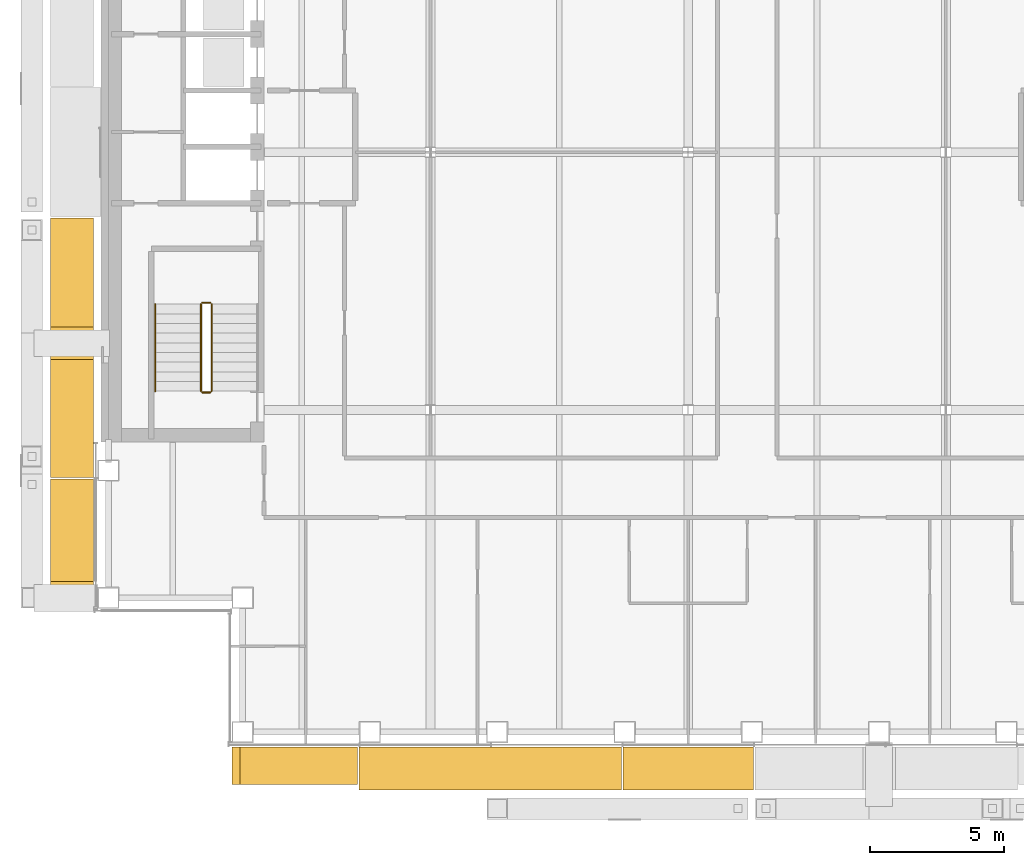
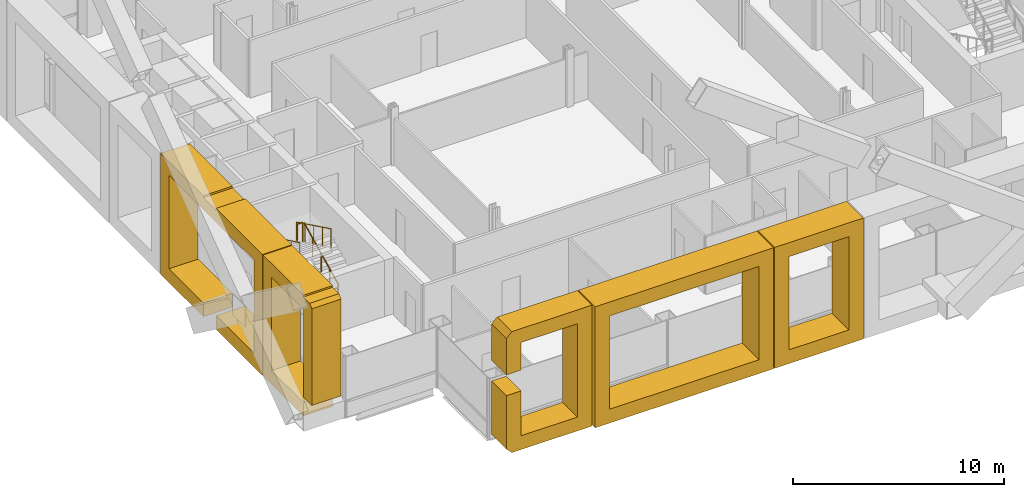
# One storey, part 17 of 22: 5 coverings, 5 railings.
"""IFC4 building model written with IfcOpenShell, lengths in metres."""

from ifc_helpers import new_model, si_unit, direction, frame, origin, origin_2d, place, context, subcontext, project, spatial, polyline, circle, outline, extrude, material, type_object, element, save


model = new_model("IFC4")

# Units and contexts
model_context = context("Model", 3, precision=1e-05, world=origin(), true_north=direction((0.0, 1.0)))
body_context = subcontext(model_context, "Body", "Model", "MODEL_VIEW")
ifc_project = project(units=[si_unit("LENGTHUNIT", "METRE"), si_unit("AREAUNIT", "SQUARE_METRE"), si_unit("VOLUMEUNIT", "CUBIC_METRE"), si_unit("PLANEANGLEUNIT", "RADIAN"), si_unit("MASSUNIT", "GRAM", prefix="KILO")], contexts=[model_context])

# Site, building, storey
site_placement = place(None, origin())
site = spatial("IfcSite", under=ifc_project, at=site_placement, CompositionType="ELEMENT")
building_placement = place(site_placement, origin())
building = spatial("IfcBuilding", under=site, at=building_placement, Name="Cobrizo Arcos Hotel Tower", CompositionType="ELEMENT")
storey_placement = place(building_placement, frame((0.0, 0.0, 169.0)))
storey = spatial("IfcBuildingStorey", under=building, at=storey_placement, Name="L43", CompositionType="ELEMENT", Elevation=169.0)

# Coverings
ifc_material_1 = material(Name="Aluminium 6063-T6 anodised bronze", Category="aluminium")
covering_type_1 = type_object("IfcCoveringType", Name="FIN-F 1400", PredefinedType="CLADDING", material=ifc_material_1)
covering_1_placement = place(storey_placement, frame((-17.0, -22.14990234375, 0.0), z_axis=(0.0, -1.0, 0.0), x_axis=(1.0, 0.0, 0.0)))
element("IfcCovering", 1, at=covering_1_placement, inside=storey, type_object=covering_type_1, Name="Fin frame 246", PredefinedType="CLADDING", context=body_context, shape_type="SweptSolid", body=[
    extrude(outline(polyline([(0.0, 6.699951171875), (0.0, 4.60205078125), (0.800048828125, 4.60205078125), (0.800048828125, 6.199951171875), (3.889404296875, 6.199951171875), (3.889404296875, 0.800048828125), (0.800048828125, 0.800048828125), (0.800048828125, 3.39794921875), (0.0, 3.39794921875), (0.0, 0.300048828125), (0.300048828125, 0.0), (4.689208984375, 0.0), (4.689208984375, 7.0), (0.300048828125, 7.0), (0.0, 6.699951171875)])), origin(), (0.0, 0.0, 1.0), 1.400146484375),
])
covering_type_2 = type_object("IfcCoveringType", Name="FIN-F 1600", PredefinedType="CLADDING", material=ifc_material_1)
covering_2_placement = place(storey_placement, frame((-12.2607421875, -22.14990234375, 0.0), z_axis=(0.0, -1.0, 0.0), x_axis=(1.0, 0.0, 0.0)))
element("IfcCovering", 2, at=covering_2_placement, inside=storey, type_object=covering_type_2, Name="Fin frame 247", PredefinedType="CLADDING", context=body_context, shape_type="SweptSolid", body=[
    extrude(outline(polyline([(0.0, 7.0), (0.0, 0.0), (9.778564453125, 0.0), (9.778564453125, 7.0), (0.0, 7.0)]), holes=[polyline([(8.978515625, 0.800048828125), (0.800048828125, 0.800048828125), (0.800048828125, 6.199951171875), (8.978515625, 6.199951171875), (8.978515625, 0.800048828125)])]), origin(), (0.0, 0.0, 1.0), 1.60009765625),
])
covering_3_placement = place(storey_placement, frame((-2.43212890625, -22.14990234375, 0.0), z_axis=(0.0, -1.0, 0.0), x_axis=(1.0, 0.0, 0.0)))
element("IfcCovering", 3, at=covering_3_placement, inside=storey, type_object=covering_type_2, Name="Fin frame 248", PredefinedType="CLADDING", context=body_context, shape_type="SweptSolid", body=[
    extrude(outline(polyline([(0.0, 7.0), (0.0, 0.0), (4.8642578125, 0.0), (4.8642578125, 7.0), (0.0, 7.0)]), holes=[polyline([(4.064208984375, 0.800048828125), (0.800048828125, 0.800048828125), (0.800048828125, 6.199951171875), (4.064208984375, 6.199951171875), (4.064208984375, 0.800048828125)])]), origin(), (0.0, 0.0, 1.0), 1.60009765625),
])
covering_4_placement = place(storey_placement, frame((-22.14990234375, -2.45361328125, 0.0), z_axis=(-1.0, 0.0, 0.0), x_axis=(0.0, -1.0, 0.0)))
element("IfcCovering", 4, at=covering_4_placement, inside=storey, type_object=covering_type_2, Name="Fin frame 279", PredefinedType="CLADDING", context=body_context, shape_type="SweptSolid", body=[
    extrude(outline(polyline([(0.0, 0.0), (4.05859375, 0.0), (4.05859375, 0.800048828125), (0.800048828125, 0.800048828125), (0.800048828125, 6.199951171875), (8.8642578125, 6.199951171875), (8.8642578125, 0.800048828125), (5.2626953125, 0.800048828125), (5.2626953125, 0.0), (9.664306640625, 0.0), (9.664306640625, 7.0), (5.2626953125, 7.0), (5.2626953125, 6.89794921875), (4.05859375, 6.89794921875), (4.05859375, 7.0), (0.0, 7.0), (0.0, 0.0)])), origin(), (0.0, 0.0, 1.0), 1.60009765625),
])
covering_5_placement = place(storey_placement, frame((-22.14990234375, -12.16796875, 0.0), z_axis=(-1.0, 0.0, 0.0), x_axis=(0.0, -1.0, 0.0)))
element("IfcCovering", 5, at=covering_5_placement, inside=storey, type_object=covering_type_2, Name="Fin frame 280", PredefinedType="CLADDING", context=body_context, shape_type="SweptSolid", body=[
    extrude(outline(polyline([(0.0, 0.0), (3.830078125, 0.0), (3.830078125, 0.800048828125), (0.800048828125, 0.800048828125), (0.800048828125, 6.199951171875), (3.83203125, 6.199951171875), (3.83203125, 1.10205078125), (4.632080078125, 1.10205078125), (4.632080078125, 6.699951171875), (4.43408203125, 6.89794921875), (3.830078125, 6.89794921875), (3.830078125, 7.0), (0.0, 7.0), (0.0, 0.0)])), origin(), (0.0, 0.0, 1.0), 1.60009765625),
])

# Railings
ifc_material_2 = material(Name="Stainless steel railing", Category="steel")
railing_type_1 = type_object("IfcRailingType", Name="Stair guard 1100", PredefinedType="GUARDRAIL", material=ifc_material_2)
railing_1_placement = place(storey_placement, frame((-17.75, -8.89990234375, 0.175048828125)))
element("IfcRailing", 6, at=railing_1_placement, inside=storey, type_object=railing_type_1, Name="L43 ST-W stair guard 1", PredefinedType="GUARDRAIL", context=body_context, shape_type="SweptSolid", body=[
    extrude(circle(Radius=0.02392578125, at=origin_2d()), frame((0.0, 0.0, 1.076171875), z_axis=(0.0, 0.899372665325, 0.437182809435), x_axis=(-1.0, 0.0, 0.0)), (0.0, 0.0, 1.0), 3.6025390625),
    extrude(circle(Radius=0.02099609375, at=origin_2d()), origin(), (0.0, 0.0, 1.0), 1.052001953125),
    extrude(circle(Radius=0.02099609375, at=origin_2d()), frame((0.0, 0.81005859375, 0.393798828125)), (0.0, 0.0, 1.0), 1.052001953125),
    extrude(circle(Radius=0.02099609375, at=origin_2d()), frame((0.0, 1.6201171875, 0.78759765625)), (0.0, 0.0, 1.0), 1.052001953125),
    extrude(circle(Radius=0.02099609375, at=origin_2d()), frame((0.0, 2.429931640625, 1.18115234375)), (0.0, 0.0, 1.0), 1.052001953125),
    extrude(circle(Radius=0.02099609375, at=origin_2d()), frame((0.0, 3.239990234375, 1.574951171875)), (0.0, 0.0, 1.0), 1.052001953125),
])
railing_2_placement = place(storey_placement, frame((-17.800048828125, -5.610107421875, 1.75)))
element("IfcRailing", 7, at=railing_2_placement, inside=storey, type_object=railing_type_1, Name="L43 ST-W stair guard 2", PredefinedType="GUARDRAIL", context=body_context, shape_type="SweptSolid", body=[
    extrude(circle(Radius=0.02392578125, at=origin_2d()), frame((0.0, 0.0, 1.076171875), z_axis=(-1.0, 0.0, 0.0), x_axis=(0.0, -1.0, 0.0)), (0.0, 0.0, 1.0), 0.300048828125),
    extrude(circle(Radius=0.02099609375, at=origin_2d()), origin(), (0.0, 0.0, 1.0), 1.052001953125),
    extrude(circle(Radius=0.02099609375, at=origin_2d()), frame((-0.300048828125, 0.0, 0.0)), (0.0, 0.0, 1.0), 1.052001953125),
])
railing_3_placement = place(storey_placement, frame((-18.14990234375, -5.659912109375, 1.925048828125)))
element("IfcRailing", 8, at=railing_3_placement, inside=storey, type_object=railing_type_1, Name="L43 ST-W stair guard 3", PredefinedType="GUARDRAIL", context=body_context, shape_type="SweptSolid", body=[
    extrude(circle(Radius=0.02392578125, at=origin_2d()), frame((0.0, 0.0, 1.076171875), z_axis=(0.0, -0.899372665325, 0.437182809435), x_axis=(1.0, 0.0, 0.0)), (0.0, 0.0, 1.0), 3.6025390625),
    extrude(circle(Radius=0.02099609375, at=origin_2d()), origin(), (0.0, 0.0, 1.0), 1.052001953125),
    extrude(circle(Radius=0.02099609375, at=origin_2d()), frame((0.0, -0.81005859375, 0.393798828125)), (0.0, 0.0, 1.0), 1.052001953125),
    extrude(circle(Radius=0.02099609375, at=origin_2d()), frame((0.0, -1.6201171875, 0.78759765625)), (0.0, 0.0, 1.0), 1.052001953125),
    extrude(circle(Radius=0.02099609375, at=origin_2d()), frame((0.0, -2.429931640625, 1.18115234375)), (0.0, 0.0, 1.0), 1.052001953125),
    extrude(circle(Radius=0.02099609375, at=origin_2d()), frame((0.0, -3.239990234375, 1.574951171875)), (0.0, 0.0, 1.0), 1.052001953125),
])
railing_4_placement = place(storey_placement, frame((-17.800048828125, -8.949951171875, 0.0)))
element("IfcRailing", 9, at=railing_4_placement, inside=storey, type_object=railing_type_1, Name="L43 ST-W stair guard 4", PredefinedType="GUARDRAIL", context=body_context, shape_type="SweptSolid", body=[
    extrude(circle(Radius=0.02392578125, at=origin_2d()), frame((0.0, 0.0, 1.076171875), z_axis=(-1.0, 0.0, 0.0), x_axis=(0.0, -1.0, 0.0)), (0.0, 0.0, 1.0), 0.300048828125),
    extrude(circle(Radius=0.02099609375, at=origin_2d()), origin(), (0.0, 0.0, 1.0), 1.052001953125),
    extrude(circle(Radius=0.02099609375, at=origin_2d()), frame((-0.300048828125, 0.0, 0.0)), (0.0, 0.0, 1.0), 1.052001953125),
])
railing_type_2 = type_object("IfcRailingType", Name="Stair handrail", PredefinedType="HANDRAIL", material=ifc_material_2)
railing_5_placement = place(storey_placement, frame((-19.85009765625, -5.659912109375, 1.925048828125)))
element("IfcRailing", 10, at=railing_5_placement, inside=storey, type_object=railing_type_2, Name="L43 ST-W stair handrail 2", PredefinedType="HANDRAIL", context=body_context, shape_type="SweptSolid", body=[
    extrude(circle(Radius=0.02392578125, at=origin_2d()), frame((0.0, 0.0, 0.8759765625), z_axis=(0.0, -0.899372665325, 0.437182809435), x_axis=(1.0, 0.0, 0.0)), (0.0, 0.0, 1.0), 3.6025390625),
    extrude(circle(Radius=0.02099609375, at=origin_2d()), origin(), (0.0, 0.0, 1.0), 0.851806640625),
    extrude(circle(Radius=0.02099609375, at=origin_2d()), frame((0.0, -0.81005859375, 0.393798828125)), (0.0, 0.0, 1.0), 0.851806640625),
    extrude(circle(Radius=0.02099609375, at=origin_2d()), frame((0.0, -1.6201171875, 0.78759765625)), (0.0, 0.0, 1.0), 0.851806640625),
    extrude(circle(Radius=0.02099609375, at=origin_2d()), frame((0.0, -2.429931640625, 1.18115234375)), (0.0, 0.0, 1.0), 0.851806640625),
    extrude(circle(Radius=0.02099609375, at=origin_2d()), frame((0.0, -3.239990234375, 1.574951171875)), (0.0, 0.0, 1.0), 0.851806640625),
])

save(model, "model.ifc")
